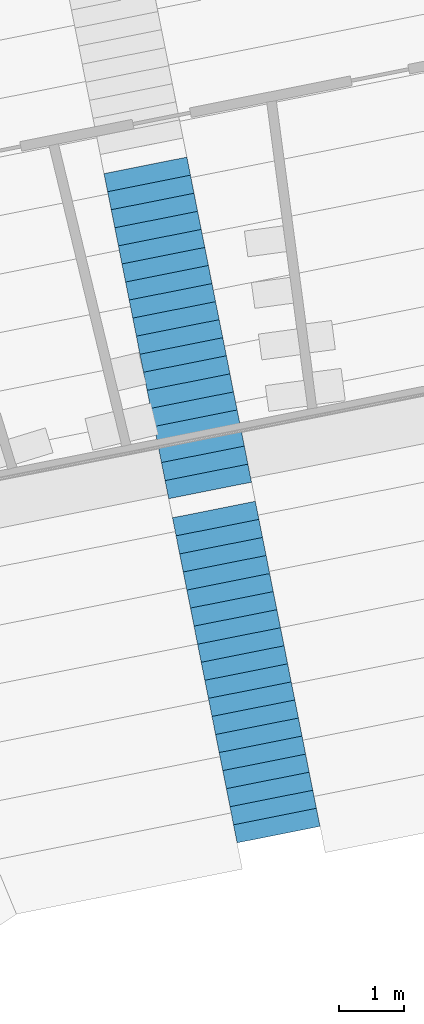
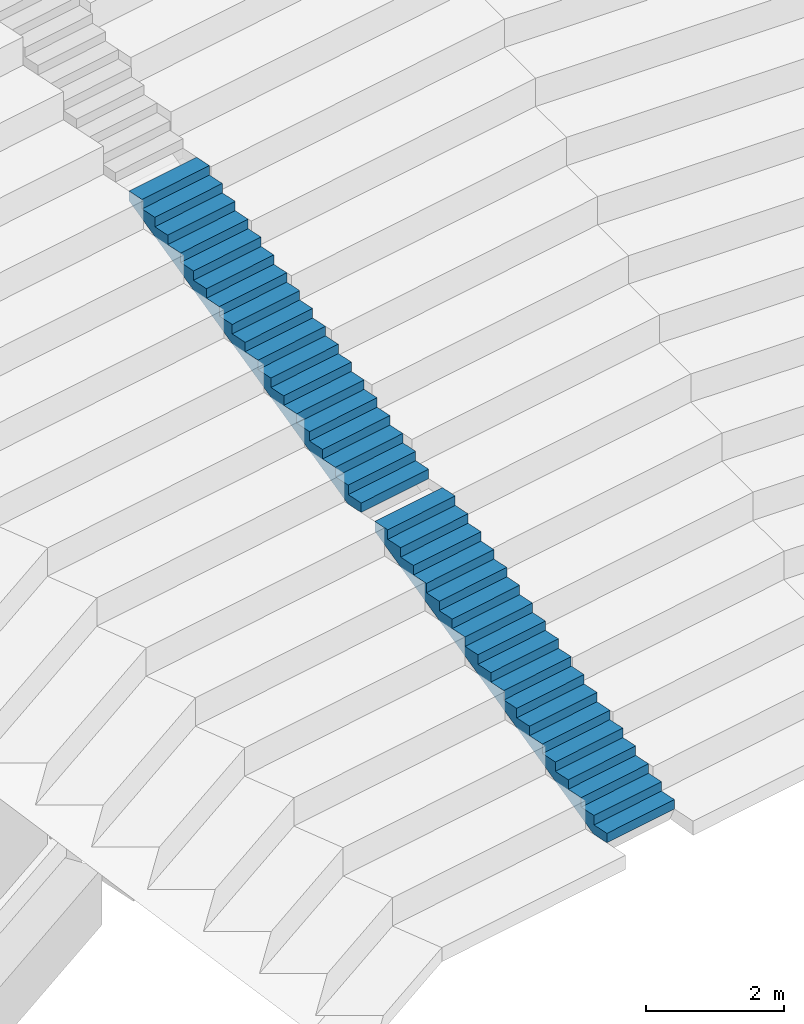
# One storey, part 201 of 249: 2 stair flights, 1 element without a shape of its own.
"""IFC4 building model written with IfcOpenShell, lengths in metres."""

from ifc_helpers import new_model, si_unit, direction, frame, origin, place, context, subcontext, project, spatial, faceted_brep, material, type_object, element, aggregate, save


model = new_model("IFC4")

# Units and contexts
model_context = context("Model", 3, precision=1e-05, world=origin(), true_north=direction((0.0, 1.0)))
body_context = subcontext(model_context, "Body", "Model", "MODEL_VIEW")
ifc_project = project(units=[si_unit("LENGTHUNIT", "METRE"), si_unit("AREAUNIT", "SQUARE_METRE"), si_unit("VOLUMEUNIT", "CUBIC_METRE"), si_unit("PLANEANGLEUNIT", "RADIAN"), si_unit("MASSUNIT", "GRAM", prefix="KILO")], contexts=[model_context])

# Site, building, storey
site_placement = place(None, origin())
site = spatial("IfcSite", under=ifc_project, at=site_placement, CompositionType="ELEMENT")
building_placement = place(site_placement, origin())
building = spatial("IfcBuilding", under=site, at=building_placement, Name="Ogive Plaza Stadium", CompositionType="ELEMENT")
storey_placement = place(building_placement, frame((0.0, 0.0, 13.5)))
storey = spatial("IfcBuildingStorey", under=building, at=storey_placement, Name="L03", CompositionType="ELEMENT", Elevation=13.5)

# Stair, stair flights
ifc_material_1 = material(Name="Concrete C40/50", Category="concrete")
stair_type = type_object("IfcStairType", Name="Aisle stair", PredefinedType="STRAIGHT_RUN_STAIR", material=ifc_material_1)
stair_placement = place(storey_placement, origin())
stair = element("IfcStair", 1, at=stair_placement, inside=storey, type_object=stair_type, Name="Aisle stair SA31U", PredefinedType="STRAIGHT_RUN_STAIR")
ifc_material_2 = material(Name="Concrete C40/50", Category="concrete")
stair_flight_type = type_object("IfcStairFlightType", Name="Aisle stair flight", PredefinedType="STRAIGHT", material=ifc_material_2)
stair_flight_1_placement = place(storey_placement, frame((-38.1943359375, 73.5869140625, 0.5), z_axis=(0.0, 0.0, 1.0), x_axis=(-0.195090322016, 0.980785280403, 0.0)))
stair_flight_1 = element("IfcStairFlight", 2, at=stair_flight_1_placement, type_object=stair_flight_type, Name="SA31U flight 1", NumberOfRisers=18, NumberOfTreads=17, PredefinedType="STRAIGHT", RiserHeight=0.166666667, TreadLength=0.283333333, context=body_context, shape_type="Brep", body=[
    faceted_brep([(0.295654296875, -0.64990234375, 0.0), (5.10009765625, -0.64990234375, 2.826171875), (5.10009765625, -0.64990234375, 3.0), (4.816650390625, -0.64990234375, 3.0), (4.816650390625, -0.64990234375, 2.833251953125), (4.533447265625, -0.64990234375, 2.833251953125), (4.533447265625, -0.64990234375, 2.666748046875), (4.25, -0.64990234375, 2.666748046875), (4.25, -0.64990234375, 2.5), (3.966552734375, -0.64990234375, 2.5), (3.966552734375, -0.64990234375, 2.333251953125), (3.683349609375, -0.64990234375, 2.333251953125), (3.683349609375, -0.64990234375, 2.166748046875), (3.39990234375, -0.64990234375, 2.166748046875), (3.39990234375, -0.64990234375, 2.0), (3.11669921875, -0.64990234375, 2.0), (3.11669921875, -0.64990234375, 1.833251953125), (2.833251953125, -0.64990234375, 1.833251953125), (2.833251953125, -0.64990234375, 1.666748046875), (2.550048828125, -0.64990234375, 1.666748046875), (2.550048828125, -0.64990234375, 1.5), (2.2666015625, -0.64990234375, 1.5), (2.2666015625, -0.64990234375, 1.333251953125), (1.9833984375, -0.64990234375, 1.333251953125), (1.9833984375, -0.64990234375, 1.166748046875), (1.699951171875, -0.64990234375, 1.166748046875), (1.699951171875, -0.64990234375, 1.0), (1.416748046875, -0.64990234375, 1.0), (1.416748046875, -0.64990234375, 0.833251953125), (1.13330078125, -0.64990234375, 0.833251953125), (1.13330078125, -0.64990234375, 0.666748046875), (0.85009765625, -0.64990234375, 0.666748046875), (0.85009765625, -0.64990234375, 0.5), (0.566650390625, -0.64990234375, 0.5), (0.566650390625, -0.64990234375, 0.333251953125), (0.283447265625, -0.64990234375, 0.333251953125), (0.283447265625, -0.64990234375, 0.166748046875), (0.0, -0.64990234375, 0.166748046875), (0.0, -0.64990234375, 0.0), (0.0, 0.64990234375, 0.0), (0.0, 0.64990234375, 0.166748046875), (0.283447265625, 0.64990234375, 0.166748046875), (0.283447265625, 0.64990234375, 0.333251953125), (0.566650390625, 0.64990234375, 0.333251953125), (0.566650390625, 0.64990234375, 0.5), (0.85009765625, 0.64990234375, 0.5), (0.85009765625, 0.64990234375, 0.666748046875), (1.13330078125, 0.64990234375, 0.666748046875), (1.13330078125, 0.64990234375, 0.833251953125), (1.416748046875, 0.64990234375, 0.833251953125), (1.416748046875, 0.64990234375, 1.0), (1.699951171875, 0.64990234375, 1.0), (1.699951171875, 0.64990234375, 1.166748046875), (1.9833984375, 0.64990234375, 1.166748046875), (1.9833984375, 0.64990234375, 1.333251953125), (2.2666015625, 0.64990234375, 1.333251953125), (2.2666015625, 0.64990234375, 1.5), (2.550048828125, 0.64990234375, 1.5), (2.550048828125, 0.64990234375, 1.666748046875), (2.833251953125, 0.64990234375, 1.666748046875), (2.833251953125, 0.64990234375, 1.833251953125), (3.11669921875, 0.64990234375, 1.833251953125), (3.11669921875, 0.64990234375, 2.0), (3.39990234375, 0.64990234375, 2.0), (3.39990234375, 0.64990234375, 2.166748046875), (3.683349609375, 0.64990234375, 2.166748046875), (3.683349609375, 0.64990234375, 2.333251953125), (3.966552734375, 0.64990234375, 2.333251953125), (3.966552734375, 0.64990234375, 2.5), (4.25, 0.64990234375, 2.5), (4.25, 0.64990234375, 2.666748046875), (4.533447265625, 0.64990234375, 2.666748046875), (4.533447265625, 0.64990234375, 2.833251953125), (4.816650390625, 0.64990234375, 2.833251953125), (4.816650390625, 0.64990234375, 3.0), (5.10009765625, 0.64990234375, 3.0), (5.10009765625, 0.64990234375, 2.826171875), (0.295654296875, 0.64990234375, 0.0), (0.295654296875, -0.324951171875, 0.0), (5.10009765625, -0.324951171875, 2.826171875), (0.295654296875, 0.0, 0.0), (5.10009765625, 0.0, 2.826171875), (0.295654296875, 0.324951171875, 0.0), (5.10009765625, 0.324951171875, 2.826171875), (5.10009765625, -0.324951171875, 3.0), (5.10009765625, 0.0, 3.0), (5.10009765625, 0.324951171875, 3.0), (4.816650390625, -0.324951171875, 3.0), (4.816650390625, 0.0, 3.0), (4.816650390625, 0.324951171875, 3.0), (4.816650390625, -0.324951171875, 2.833251953125), (4.816650390625, 0.0, 2.833251953125), (4.816650390625, 0.324951171875, 2.833251953125), (4.533447265625, -0.324951171875, 2.833251953125), (4.533447265625, 0.0, 2.833251953125), (4.533447265625, 0.324951171875, 2.833251953125), (4.533447265625, -0.324951171875, 2.666748046875), (4.533447265625, 0.0, 2.666748046875), (4.533447265625, 0.324951171875, 2.666748046875), (4.25, -0.324951171875, 2.666748046875), (4.25, 0.0, 2.666748046875), (4.25, 0.324951171875, 2.666748046875), (4.25, -0.324951171875, 2.5), (4.25, 0.0, 2.5), (4.25, 0.324951171875, 2.5), (3.966552734375, -0.324951171875, 2.5), (3.966552734375, 0.0, 2.5), (3.966552734375, 0.324951171875, 2.5), (3.966552734375, -0.324951171875, 2.333251953125), (3.966552734375, 0.0, 2.333251953125), (3.966552734375, 0.324951171875, 2.333251953125), (3.683349609375, -0.324951171875, 2.333251953125), (3.683349609375, 0.0, 2.333251953125), (3.683349609375, 0.324951171875, 2.333251953125), (3.683349609375, -0.324951171875, 2.166748046875), (3.683349609375, 0.0, 2.166748046875), (3.683349609375, 0.324951171875, 2.166748046875), (3.39990234375, -0.324951171875, 2.166748046875), (3.39990234375, 0.0, 2.166748046875), (3.39990234375, 0.324951171875, 2.166748046875), (3.39990234375, -0.324951171875, 2.0), (3.39990234375, 0.0, 2.0), (3.39990234375, 0.324951171875, 2.0), (3.11669921875, -0.324951171875, 2.0), (3.11669921875, 0.0, 2.0), (3.11669921875, 0.324951171875, 2.0), (3.11669921875, -0.324951171875, 1.833251953125), (3.11669921875, 0.0, 1.833251953125), (3.11669921875, 0.324951171875, 1.833251953125), (2.833251953125, -0.324951171875, 1.833251953125), (2.833251953125, 0.0, 1.833251953125), (2.833251953125, 0.324951171875, 1.833251953125), (2.833251953125, -0.324951171875, 1.666748046875), (2.833251953125, 0.0, 1.666748046875), (2.833251953125, 0.324951171875, 1.666748046875), (2.550048828125, -0.324951171875, 1.666748046875), (2.550048828125, 0.0, 1.666748046875), (2.550048828125, 0.324951171875, 1.666748046875), (2.550048828125, -0.324951171875, 1.5), (2.550048828125, 0.0, 1.5), (2.550048828125, 0.324951171875, 1.5), (2.2666015625, -0.324951171875, 1.5), (2.2666015625, 0.0, 1.5), (2.2666015625, 0.324951171875, 1.5), (2.2666015625, -0.324951171875, 1.333251953125), (2.2666015625, 0.0, 1.333251953125), (2.2666015625, 0.324951171875, 1.333251953125), (1.9833984375, -0.324951171875, 1.333251953125), (1.9833984375, 0.0, 1.333251953125), (1.9833984375, 0.324951171875, 1.333251953125), (1.9833984375, -0.324951171875, 1.166748046875), (1.9833984375, 0.0, 1.166748046875), (1.9833984375, 0.324951171875, 1.166748046875), (1.699951171875, -0.324951171875, 1.166748046875), (1.699951171875, 0.0, 1.166748046875), (1.699951171875, 0.324951171875, 1.166748046875), (1.699951171875, -0.324951171875, 1.0), (1.699951171875, 0.0, 1.0), (1.699951171875, 0.324951171875, 1.0), (1.416748046875, -0.324951171875, 1.0), (1.416748046875, 0.0, 1.0), (1.416748046875, 0.324951171875, 1.0), (1.416748046875, -0.324951171875, 0.833251953125), (1.416748046875, 0.0, 0.833251953125), (1.416748046875, 0.324951171875, 0.833251953125), (1.13330078125, -0.324951171875, 0.833251953125), (1.13330078125, 0.0, 0.833251953125), (1.13330078125, 0.324951171875, 0.833251953125), (1.13330078125, -0.324951171875, 0.666748046875), (1.13330078125, 0.0, 0.666748046875), (1.13330078125, 0.324951171875, 0.666748046875), (0.85009765625, -0.324951171875, 0.666748046875), (0.85009765625, 0.0, 0.666748046875), (0.85009765625, 0.324951171875, 0.666748046875), (0.85009765625, -0.324951171875, 0.5), (0.85009765625, 0.0, 0.5), (0.85009765625, 0.324951171875, 0.5), (0.566650390625, -0.324951171875, 0.5), (0.566650390625, 0.0, 0.5), (0.566650390625, 0.324951171875, 0.5), (0.566650390625, -0.324951171875, 0.333251953125), (0.566650390625, 0.0, 0.333251953125), (0.566650390625, 0.324951171875, 0.333251953125), (0.283447265625, -0.324951171875, 0.333251953125), (0.283447265625, 0.0, 0.333251953125), (0.283447265625, 0.324951171875, 0.333251953125), (0.283447265625, -0.324951171875, 0.166748046875), (0.283447265625, 0.0, 0.166748046875), (0.283447265625, 0.324951171875, 0.166748046875), (0.0, -0.324951171875, 0.166748046875), (0.0, 0.0, 0.166748046875), (0.0, 0.324951171875, 0.166748046875), (0.0, -0.324951171875, 0.0), (0.0, 0.0, 0.0), (0.0, 0.324951171875, 0.0)], [[[0, 1, 2, 3, 4, 5, 6, 7, 8, 9, 10, 11, 12, 13, 14, 15, 16, 17, 18, 19, 20, 21, 22, 23, 24, 25, 26, 27, 28, 29, 30, 31, 32, 33, 34, 35, 36, 37, 38]], [[39, 40, 41, 42, 43, 44, 45, 46, 47, 48, 49, 50, 51, 52, 53, 54, 55, 56, 57, 58, 59, 60, 61, 62, 63, 64, 65, 66, 67, 68, 69, 70, 71, 72, 73, 74, 75, 76, 77]], [[0, 78, 79, 1]], [[78, 80, 81, 79]], [[80, 82, 83, 81]], [[82, 77, 76, 83]], [[1, 79, 84, 2]], [[79, 81, 85, 84]], [[81, 83, 86, 85]], [[83, 76, 75, 86]], [[2, 84, 87, 3]], [[84, 85, 88, 87]], [[85, 86, 89, 88]], [[86, 75, 74, 89]], [[3, 87, 90, 4]], [[87, 88, 91, 90]], [[88, 89, 92, 91]], [[89, 74, 73, 92]], [[4, 90, 93, 5]], [[90, 91, 94, 93]], [[91, 92, 95, 94]], [[92, 73, 72, 95]], [[5, 93, 96, 6]], [[93, 94, 97, 96]], [[94, 95, 98, 97]], [[95, 72, 71, 98]], [[6, 96, 99, 7]], [[96, 97, 100, 99]], [[97, 98, 101, 100]], [[98, 71, 70, 101]], [[7, 99, 102, 8]], [[99, 100, 103, 102]], [[100, 101, 104, 103]], [[101, 70, 69, 104]], [[8, 102, 105, 9]], [[102, 103, 106, 105]], [[103, 104, 107, 106]], [[104, 69, 68, 107]], [[9, 105, 108, 10]], [[105, 106, 109, 108]], [[106, 107, 110, 109]], [[107, 68, 67, 110]], [[10, 108, 111, 11]], [[108, 109, 112, 111]], [[109, 110, 113, 112]], [[110, 67, 66, 113]], [[11, 111, 114, 12]], [[111, 112, 115, 114]], [[112, 113, 116, 115]], [[113, 66, 65, 116]], [[12, 114, 117, 13]], [[114, 115, 118, 117]], [[115, 116, 119, 118]], [[116, 65, 64, 119]], [[13, 117, 120, 14]], [[117, 118, 121, 120]], [[118, 119, 122, 121]], [[119, 64, 63, 122]], [[14, 120, 123, 15]], [[120, 121, 124, 123]], [[121, 122, 125, 124]], [[122, 63, 62, 125]], [[15, 123, 126, 16]], [[123, 124, 127, 126]], [[124, 125, 128, 127]], [[125, 62, 61, 128]], [[16, 126, 129, 17]], [[126, 127, 130, 129]], [[127, 128, 131, 130]], [[128, 61, 60, 131]], [[17, 129, 132, 18]], [[129, 130, 133, 132]], [[130, 131, 134, 133]], [[131, 60, 59, 134]], [[18, 132, 135, 19]], [[132, 133, 136, 135]], [[133, 134, 137, 136]], [[134, 59, 58, 137]], [[19, 135, 138, 20]], [[135, 136, 139, 138]], [[136, 137, 140, 139]], [[137, 58, 57, 140]], [[20, 138, 141, 21]], [[138, 139, 142, 141]], [[139, 140, 143, 142]], [[140, 57, 56, 143]], [[21, 141, 144, 22]], [[141, 142, 145, 144]], [[142, 143, 146, 145]], [[143, 56, 55, 146]], [[22, 144, 147, 23]], [[144, 145, 148, 147]], [[145, 146, 149, 148]], [[146, 55, 54, 149]], [[23, 147, 150, 24]], [[147, 148, 151, 150]], [[148, 149, 152, 151]], [[149, 54, 53, 152]], [[24, 150, 153, 25]], [[150, 151, 154, 153]], [[151, 152, 155, 154]], [[152, 53, 52, 155]], [[25, 153, 156, 26]], [[153, 154, 157, 156]], [[154, 155, 158, 157]], [[155, 52, 51, 158]], [[26, 156, 159, 27]], [[156, 157, 160, 159]], [[157, 158, 161, 160]], [[158, 51, 50, 161]], [[27, 159, 162, 28]], [[159, 160, 163, 162]], [[160, 161, 164, 163]], [[161, 50, 49, 164]], [[28, 162, 165, 29]], [[162, 163, 166, 165]], [[163, 164, 167, 166]], [[164, 49, 48, 167]], [[29, 165, 168, 30]], [[165, 166, 169, 168]], [[166, 167, 170, 169]], [[167, 48, 47, 170]], [[30, 168, 171, 31]], [[168, 169, 172, 171]], [[169, 170, 173, 172]], [[170, 47, 46, 173]], [[31, 171, 174, 32]], [[171, 172, 175, 174]], [[172, 173, 176, 175]], [[173, 46, 45, 176]], [[32, 174, 177, 33]], [[174, 175, 178, 177]], [[175, 176, 179, 178]], [[176, 45, 44, 179]], [[33, 177, 180, 34]], [[177, 178, 181, 180]], [[178, 179, 182, 181]], [[179, 44, 43, 182]], [[34, 180, 183, 35]], [[180, 181, 184, 183]], [[181, 182, 185, 184]], [[182, 43, 42, 185]], [[35, 183, 186, 36]], [[183, 184, 187, 186]], [[184, 185, 188, 187]], [[185, 42, 41, 188]], [[36, 186, 189, 37]], [[186, 187, 190, 189]], [[187, 188, 191, 190]], [[188, 41, 40, 191]], [[37, 189, 192, 38]], [[189, 190, 193, 192]], [[190, 191, 194, 193]], [[191, 40, 39, 194]], [[38, 192, 78, 0]], [[192, 193, 80, 78]], [[193, 194, 82, 80]], [[194, 39, 77, 82]]]),
])
stair_flight_2_placement = place(storey_placement, frame((-39.248046875, 78.883056640625, 3.5), z_axis=(0.0, 0.0, 1.0), x_axis=(-0.195090322016, 0.980785280403, 0.0)))
stair_flight_2 = element("IfcStairFlight", 3, at=stair_flight_2_placement, type_object=stair_flight_type, Name="SA31U flight 2", NumberOfRisers=18, NumberOfTreads=17, PredefinedType="STRAIGHT", RiserHeight=0.166666667, TreadLength=0.283333333, context=body_context, shape_type="Brep", body=[
    faceted_brep([(0.295654296875, -0.64990234375, 0.0), (5.10009765625, -0.64990234375, 2.826171875), (5.10009765625, -0.64990234375, 3.0), (4.816650390625, -0.64990234375, 3.0), (4.816650390625, -0.64990234375, 2.833251953125), (4.533447265625, -0.64990234375, 2.833251953125), (4.533447265625, -0.64990234375, 2.666748046875), (4.25, -0.64990234375, 2.666748046875), (4.25, -0.64990234375, 2.5), (3.966552734375, -0.64990234375, 2.5), (3.966552734375, -0.64990234375, 2.333251953125), (3.683349609375, -0.64990234375, 2.333251953125), (3.683349609375, -0.64990234375, 2.166748046875), (3.39990234375, -0.64990234375, 2.166748046875), (3.39990234375, -0.64990234375, 2.0), (3.11669921875, -0.64990234375, 2.0), (3.11669921875, -0.64990234375, 1.833251953125), (2.833251953125, -0.64990234375, 1.833251953125), (2.833251953125, -0.64990234375, 1.666748046875), (2.550048828125, -0.64990234375, 1.666748046875), (2.550048828125, -0.64990234375, 1.5), (2.2666015625, -0.64990234375, 1.5), (2.2666015625, -0.64990234375, 1.333251953125), (1.9833984375, -0.64990234375, 1.333251953125), (1.9833984375, -0.64990234375, 1.166748046875), (1.699951171875, -0.64990234375, 1.166748046875), (1.699951171875, -0.64990234375, 1.0), (1.416748046875, -0.64990234375, 1.0), (1.416748046875, -0.64990234375, 0.833251953125), (1.13330078125, -0.64990234375, 0.833251953125), (1.13330078125, -0.64990234375, 0.666748046875), (0.85009765625, -0.64990234375, 0.666748046875), (0.85009765625, -0.64990234375, 0.5), (0.566650390625, -0.64990234375, 0.5), (0.566650390625, -0.64990234375, 0.333251953125), (0.283447265625, -0.64990234375, 0.333251953125), (0.283447265625, -0.64990234375, 0.166748046875), (0.0, -0.64990234375, 0.166748046875), (0.0, -0.64990234375, 0.0), (0.0, 0.64990234375, 0.0), (0.0, 0.64990234375, 0.166748046875), (0.283447265625, 0.64990234375, 0.166748046875), (0.283447265625, 0.64990234375, 0.333251953125), (0.566650390625, 0.64990234375, 0.333251953125), (0.566650390625, 0.64990234375, 0.5), (0.85009765625, 0.64990234375, 0.5), (0.85009765625, 0.64990234375, 0.666748046875), (1.13330078125, 0.64990234375, 0.666748046875), (1.13330078125, 0.64990234375, 0.833251953125), (1.416748046875, 0.64990234375, 0.833251953125), (1.416748046875, 0.64990234375, 1.0), (1.699951171875, 0.64990234375, 1.0), (1.699951171875, 0.64990234375, 1.166748046875), (1.9833984375, 0.64990234375, 1.166748046875), (1.9833984375, 0.64990234375, 1.333251953125), (2.2666015625, 0.64990234375, 1.333251953125), (2.2666015625, 0.64990234375, 1.5), (2.550048828125, 0.64990234375, 1.5), (2.550048828125, 0.64990234375, 1.666748046875), (2.833251953125, 0.64990234375, 1.666748046875), (2.833251953125, 0.64990234375, 1.833251953125), (3.11669921875, 0.64990234375, 1.833251953125), (3.11669921875, 0.64990234375, 2.0), (3.39990234375, 0.64990234375, 2.0), (3.39990234375, 0.64990234375, 2.166748046875), (3.683349609375, 0.64990234375, 2.166748046875), (3.683349609375, 0.64990234375, 2.333251953125), (3.966552734375, 0.64990234375, 2.333251953125), (3.966552734375, 0.64990234375, 2.5), (4.25, 0.64990234375, 2.5), (4.25, 0.64990234375, 2.666748046875), (4.533447265625, 0.64990234375, 2.666748046875), (4.533447265625, 0.64990234375, 2.833251953125), (4.816650390625, 0.64990234375, 2.833251953125), (4.816650390625, 0.64990234375, 3.0), (5.10009765625, 0.64990234375, 3.0), (5.10009765625, 0.64990234375, 2.826171875), (0.295654296875, 0.64990234375, 0.0), (0.295654296875, -0.324951171875, 0.0), (5.10009765625, -0.324951171875, 2.826171875), (0.295654296875, 0.0, 0.0), (5.10009765625, 0.0, 2.826171875), (0.295654296875, 0.324951171875, 0.0), (5.10009765625, 0.324951171875, 2.826171875), (5.10009765625, -0.324951171875, 3.0), (5.10009765625, 0.0, 3.0), (5.10009765625, 0.324951171875, 3.0), (4.816650390625, -0.324951171875, 3.0), (4.816650390625, 0.0, 3.0), (4.816650390625, 0.324951171875, 3.0), (4.816650390625, -0.324951171875, 2.833251953125), (4.816650390625, 0.0, 2.833251953125), (4.816650390625, 0.324951171875, 2.833251953125), (4.533447265625, -0.324951171875, 2.833251953125), (4.533447265625, 0.0, 2.833251953125), (4.533447265625, 0.324951171875, 2.833251953125), (4.533447265625, -0.324951171875, 2.666748046875), (4.533447265625, 0.0, 2.666748046875), (4.533447265625, 0.324951171875, 2.666748046875), (4.25, -0.324951171875, 2.666748046875), (4.25, 0.0, 2.666748046875), (4.25, 0.324951171875, 2.666748046875), (4.25, -0.324951171875, 2.5), (4.25, 0.0, 2.5), (4.25, 0.324951171875, 2.5), (3.966552734375, -0.324951171875, 2.5), (3.966552734375, 0.0, 2.5), (3.966552734375, 0.324951171875, 2.5), (3.966552734375, -0.324951171875, 2.333251953125), (3.966552734375, 0.0, 2.333251953125), (3.966552734375, 0.324951171875, 2.333251953125), (3.683349609375, -0.324951171875, 2.333251953125), (3.683349609375, 0.0, 2.333251953125), (3.683349609375, 0.324951171875, 2.333251953125), (3.683349609375, -0.324951171875, 2.166748046875), (3.683349609375, 0.0, 2.166748046875), (3.683349609375, 0.324951171875, 2.166748046875), (3.39990234375, -0.324951171875, 2.166748046875), (3.39990234375, 0.0, 2.166748046875), (3.39990234375, 0.324951171875, 2.166748046875), (3.39990234375, -0.324951171875, 2.0), (3.39990234375, 0.0, 2.0), (3.39990234375, 0.324951171875, 2.0), (3.11669921875, -0.324951171875, 2.0), (3.11669921875, 0.0, 2.0), (3.11669921875, 0.324951171875, 2.0), (3.11669921875, -0.324951171875, 1.833251953125), (3.11669921875, 0.0, 1.833251953125), (3.11669921875, 0.324951171875, 1.833251953125), (2.833251953125, -0.324951171875, 1.833251953125), (2.833251953125, 0.0, 1.833251953125), (2.833251953125, 0.324951171875, 1.833251953125), (2.833251953125, -0.324951171875, 1.666748046875), (2.833251953125, 0.0, 1.666748046875), (2.833251953125, 0.324951171875, 1.666748046875), (2.550048828125, -0.324951171875, 1.666748046875), (2.550048828125, 0.0, 1.666748046875), (2.550048828125, 0.324951171875, 1.666748046875), (2.550048828125, -0.324951171875, 1.5), (2.550048828125, 0.0, 1.5), (2.550048828125, 0.324951171875, 1.5), (2.2666015625, -0.324951171875, 1.5), (2.2666015625, 0.0, 1.5), (2.2666015625, 0.324951171875, 1.5), (2.2666015625, -0.324951171875, 1.333251953125), (2.2666015625, 0.0, 1.333251953125), (2.2666015625, 0.324951171875, 1.333251953125), (1.9833984375, -0.324951171875, 1.333251953125), (1.9833984375, 0.0, 1.333251953125), (1.9833984375, 0.324951171875, 1.333251953125), (1.9833984375, -0.324951171875, 1.166748046875), (1.9833984375, 0.0, 1.166748046875), (1.9833984375, 0.324951171875, 1.166748046875), (1.699951171875, -0.324951171875, 1.166748046875), (1.699951171875, 0.0, 1.166748046875), (1.699951171875, 0.324951171875, 1.166748046875), (1.699951171875, -0.324951171875, 1.0), (1.699951171875, 0.0, 1.0), (1.699951171875, 0.324951171875, 1.0), (1.416748046875, -0.324951171875, 1.0), (1.416748046875, 0.0, 1.0), (1.416748046875, 0.324951171875, 1.0), (1.416748046875, -0.324951171875, 0.833251953125), (1.416748046875, 0.0, 0.833251953125), (1.416748046875, 0.324951171875, 0.833251953125), (1.13330078125, -0.324951171875, 0.833251953125), (1.13330078125, 0.0, 0.833251953125), (1.13330078125, 0.324951171875, 0.833251953125), (1.13330078125, -0.324951171875, 0.666748046875), (1.13330078125, 0.0, 0.666748046875), (1.13330078125, 0.324951171875, 0.666748046875), (0.85009765625, -0.324951171875, 0.666748046875), (0.85009765625, 0.0, 0.666748046875), (0.85009765625, 0.324951171875, 0.666748046875), (0.85009765625, -0.324951171875, 0.5), (0.85009765625, 0.0, 0.5), (0.85009765625, 0.324951171875, 0.5), (0.566650390625, -0.324951171875, 0.5), (0.566650390625, 0.0, 0.5), (0.566650390625, 0.324951171875, 0.5), (0.566650390625, -0.324951171875, 0.333251953125), (0.566650390625, 0.0, 0.333251953125), (0.566650390625, 0.324951171875, 0.333251953125), (0.283447265625, -0.324951171875, 0.333251953125), (0.283447265625, 0.0, 0.333251953125), (0.283447265625, 0.324951171875, 0.333251953125), (0.283447265625, -0.324951171875, 0.166748046875), (0.283447265625, 0.0, 0.166748046875), (0.283447265625, 0.324951171875, 0.166748046875), (0.0, -0.324951171875, 0.166748046875), (0.0, 0.0, 0.166748046875), (0.0, 0.324951171875, 0.166748046875), (0.0, -0.324951171875, 0.0), (0.0, 0.0, 0.0), (0.0, 0.324951171875, 0.0)], [[[0, 1, 2, 3, 4, 5, 6, 7, 8, 9, 10, 11, 12, 13, 14, 15, 16, 17, 18, 19, 20, 21, 22, 23, 24, 25, 26, 27, 28, 29, 30, 31, 32, 33, 34, 35, 36, 37, 38]], [[39, 40, 41, 42, 43, 44, 45, 46, 47, 48, 49, 50, 51, 52, 53, 54, 55, 56, 57, 58, 59, 60, 61, 62, 63, 64, 65, 66, 67, 68, 69, 70, 71, 72, 73, 74, 75, 76, 77]], [[0, 78, 79, 1]], [[78, 80, 81, 79]], [[80, 82, 83, 81]], [[82, 77, 76, 83]], [[1, 79, 84, 2]], [[79, 81, 85, 84]], [[81, 83, 86, 85]], [[83, 76, 75, 86]], [[2, 84, 87, 3]], [[84, 85, 88, 87]], [[85, 86, 89, 88]], [[86, 75, 74, 89]], [[3, 87, 90, 4]], [[87, 88, 91, 90]], [[88, 89, 92, 91]], [[89, 74, 73, 92]], [[4, 90, 93, 5]], [[90, 91, 94, 93]], [[91, 92, 95, 94]], [[92, 73, 72, 95]], [[5, 93, 96, 6]], [[93, 94, 97, 96]], [[94, 95, 98, 97]], [[95, 72, 71, 98]], [[6, 96, 99, 7]], [[96, 97, 100, 99]], [[97, 98, 101, 100]], [[98, 71, 70, 101]], [[7, 99, 102, 8]], [[99, 100, 103, 102]], [[100, 101, 104, 103]], [[101, 70, 69, 104]], [[8, 102, 105, 9]], [[102, 103, 106, 105]], [[103, 104, 107, 106]], [[104, 69, 68, 107]], [[9, 105, 108, 10]], [[105, 106, 109, 108]], [[106, 107, 110, 109]], [[107, 68, 67, 110]], [[10, 108, 111, 11]], [[108, 109, 112, 111]], [[109, 110, 113, 112]], [[110, 67, 66, 113]], [[11, 111, 114, 12]], [[111, 112, 115, 114]], [[112, 113, 116, 115]], [[113, 66, 65, 116]], [[12, 114, 117, 13]], [[114, 115, 118, 117]], [[115, 116, 119, 118]], [[116, 65, 64, 119]], [[13, 117, 120, 14]], [[117, 118, 121, 120]], [[118, 119, 122, 121]], [[119, 64, 63, 122]], [[14, 120, 123, 15]], [[120, 121, 124, 123]], [[121, 122, 125, 124]], [[122, 63, 62, 125]], [[15, 123, 126, 16]], [[123, 124, 127, 126]], [[124, 125, 128, 127]], [[125, 62, 61, 128]], [[16, 126, 129, 17]], [[126, 127, 130, 129]], [[127, 128, 131, 130]], [[128, 61, 60, 131]], [[17, 129, 132, 18]], [[129, 130, 133, 132]], [[130, 131, 134, 133]], [[131, 60, 59, 134]], [[18, 132, 135, 19]], [[132, 133, 136, 135]], [[133, 134, 137, 136]], [[134, 59, 58, 137]], [[19, 135, 138, 20]], [[135, 136, 139, 138]], [[136, 137, 140, 139]], [[137, 58, 57, 140]], [[20, 138, 141, 21]], [[138, 139, 142, 141]], [[139, 140, 143, 142]], [[140, 57, 56, 143]], [[21, 141, 144, 22]], [[141, 142, 145, 144]], [[142, 143, 146, 145]], [[143, 56, 55, 146]], [[22, 144, 147, 23]], [[144, 145, 148, 147]], [[145, 146, 149, 148]], [[146, 55, 54, 149]], [[23, 147, 150, 24]], [[147, 148, 151, 150]], [[148, 149, 152, 151]], [[149, 54, 53, 152]], [[24, 150, 153, 25]], [[150, 151, 154, 153]], [[151, 152, 155, 154]], [[152, 53, 52, 155]], [[25, 153, 156, 26]], [[153, 154, 157, 156]], [[154, 155, 158, 157]], [[155, 52, 51, 158]], [[26, 156, 159, 27]], [[156, 157, 160, 159]], [[157, 158, 161, 160]], [[158, 51, 50, 161]], [[27, 159, 162, 28]], [[159, 160, 163, 162]], [[160, 161, 164, 163]], [[161, 50, 49, 164]], [[28, 162, 165, 29]], [[162, 163, 166, 165]], [[163, 164, 167, 166]], [[164, 49, 48, 167]], [[29, 165, 168, 30]], [[165, 166, 169, 168]], [[166, 167, 170, 169]], [[167, 48, 47, 170]], [[30, 168, 171, 31]], [[168, 169, 172, 171]], [[169, 170, 173, 172]], [[170, 47, 46, 173]], [[31, 171, 174, 32]], [[171, 172, 175, 174]], [[172, 173, 176, 175]], [[173, 46, 45, 176]], [[32, 174, 177, 33]], [[174, 175, 178, 177]], [[175, 176, 179, 178]], [[176, 45, 44, 179]], [[33, 177, 180, 34]], [[177, 178, 181, 180]], [[178, 179, 182, 181]], [[179, 44, 43, 182]], [[34, 180, 183, 35]], [[180, 181, 184, 183]], [[181, 182, 185, 184]], [[182, 43, 42, 185]], [[35, 183, 186, 36]], [[183, 184, 187, 186]], [[184, 185, 188, 187]], [[185, 42, 41, 188]], [[36, 186, 189, 37]], [[186, 187, 190, 189]], [[187, 188, 191, 190]], [[188, 41, 40, 191]], [[37, 189, 192, 38]], [[189, 190, 193, 192]], [[190, 191, 194, 193]], [[191, 40, 39, 194]], [[38, 192, 78, 0]], [[192, 193, 80, 78]], [[193, 194, 82, 80]], [[194, 39, 77, 82]]]),
])
aggregate(stair, [stair_flight_1, stair_flight_2])

save(model, "model.ifc")
